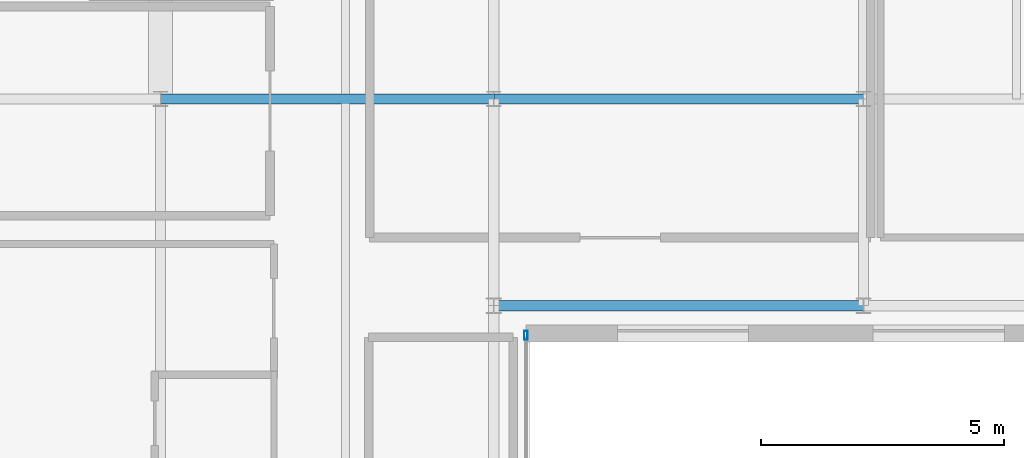
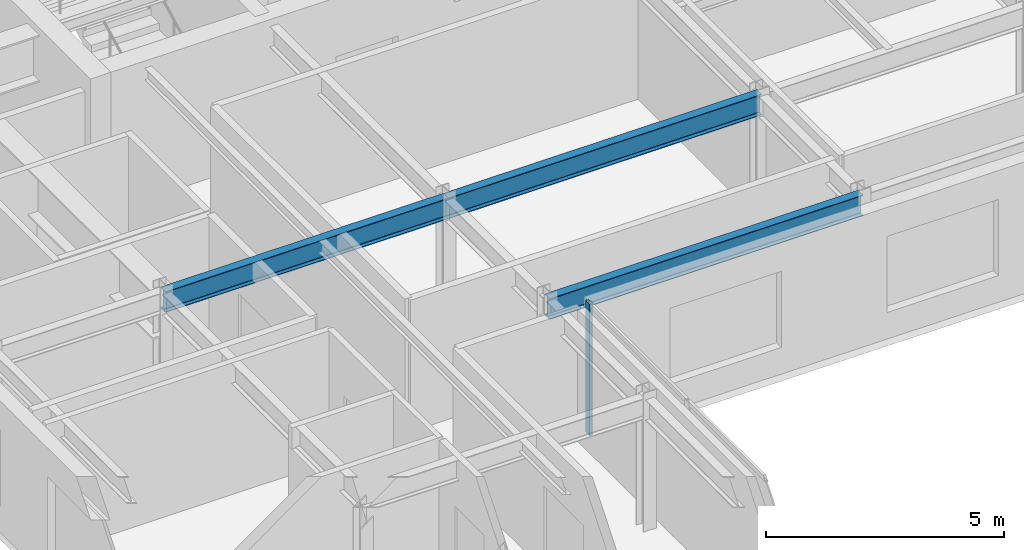
# One storey, part 9 of 18: 3 beams, 1 member, 1 element without a shape of its own.
"""IFC4 building model written with IfcOpenShell, lengths in metres."""

from ifc_helpers import new_model, si_unit, direction, frame, origin, origin_2d, place, context, subcontext, project, spatial, hollow_rectangle, i_section, extrude, source, transform, mapped, material, layer, layer_set, material_profile, profile_set, type_object, type_shapes, element, aggregate, save


model = new_model("IFC4")

# Units and contexts
model_context = context("Model", 3, precision=1e-05, world=origin(), true_north=direction((0.0, 1.0)))
body_context = subcontext(model_context, "Body", "Model", "MODEL_VIEW")
ifc_project = project(units=[si_unit("LENGTHUNIT", "METRE"), si_unit("AREAUNIT", "SQUARE_METRE"), si_unit("VOLUMEUNIT", "CUBIC_METRE"), si_unit("PLANEANGLEUNIT", "RADIAN"), si_unit("MASSUNIT", "GRAM", prefix="KILO")], contexts=[model_context])

# Site, building, storey
site_placement = place(None, origin())
site = spatial("IfcSite", under=ifc_project, at=site_placement, CompositionType="ELEMENT")
building_placement = place(site_placement, origin())
building = spatial("IfcBuilding", under=site, at=building_placement, Name="Tolvann Quenvar Hotel", CompositionType="ELEMENT")
storey_placement = place(building_placement, frame((0.0, 0.0, 245.199951171875)))
storey = spatial("IfcBuildingStorey", under=building, at=storey_placement, Name="L65", CompositionType="ELEMENT", Elevation=245.199951171875)

# Beams
ifc_material_1 = material(Name="Steel Grade 350", Category="steel")
ifc_material_profile_1 = material_profile(ifc_material_1, i_section(OverallWidth=0.208984375, OverallDepth=0.532958984375, WebThickness=0.01025390625, FlangeThickness=0.015625, FilletRadius=0.013916015625, at=origin_2d()), Name="530UB92")
ifc_profile_set_1 = profile_set([ifc_material_profile_1], Name="Steel Grade 350")
beam_type = type_object("IfcBeamType", Name="BM_GIRD_530UB92", PredefinedType="BEAM", material=ifc_profile_set_1)
shared_shape_1 = source(origin(), body_context, "Body", "SweptSolid", [
    extrude(i_section(OverallWidth=0.208984375, OverallDepth=0.532958984375, WebThickness=0.01025390625, FlangeThickness=0.015625, FilletRadius=0.013916015625, at=origin_2d()), origin(), (0.0, 0.0, 1.0), 6.849853515625),
])
beam_placement = place(storey_placement, frame((7.60009765625, 24.39990234375, 3.103515625), z_axis=(1.0, 0.0, 0.0), x_axis=(0.0, 1.0, 0.0)))
element("IfcBeam", 1, at=beam_placement, inside=storey, type_object=beam_type, Name="BM-L65-EW-5-C5-D5", PredefinedType="BEAM", context=body_context, shape_type="MappedRepresentation", body=[
    mapped(shared_shape_1, transform((0.0, 0.0, 0.0), x_axis=(1.0, 0.0, 0.0), y_axis=(0.0, 1.0, 0.0), z_axis=(0.0, 0.0, 1.0), scale=1.0)),
])
shared_shape_2 = source(origin(), body_context, "Body", "SweptSolid", [
    extrude(i_section(OverallWidth=0.208984375, OverallDepth=0.532958984375, WebThickness=0.01025390625, FlangeThickness=0.015625, FilletRadius=0.013916015625, at=origin_2d()), origin(), (0.0, 0.0, 1.0), 7.60009765625),
])
type_shapes(beam_type, [shared_shape_1, shared_shape_2])
for number, where, z_axis, x_axis, name in (
    (2, (14.449951171875, 20.14990234375, 3.103515625), (1.0, 0.0, 0.0), (0.0, 1.0, 0.0), "BM-L65-EW-4P-D4P-E4P"),
    (3, (14.449951171875, 24.39990234375, 3.103515625), (1.0, 0.0, 0.0), (0.0, 1.0, 0.0), "BM-L65-EW-5-D5-E5"),
):
    element("IfcBeam", number, at=place(storey_placement, frame(where, z_axis=z_axis, x_axis=x_axis)), inside=storey, type_object=beam_type, Name=name, PredefinedType="BEAM", context=body_context, shape_type="MappedRepresentation", body=[
        mapped(shared_shape_2, transform((0.0, 0.0, 0.0), x_axis=(1.0, 0.0, 0.0), y_axis=(0.0, 1.0, 0.0), z_axis=(0.0, 0.0, 1.0), scale=1.0)),
    ])

# Curtain wall, member
ifc_material_2 = material(Name="Thermally broken anodised architectural aluminium 6063-T6 and laminated low-E glass", Category="aluminium")
ifc_layer = layer(ifc_material_2, 0.179931640625)
ifc_layer_set = layer_set([ifc_layer], Name="Thermally broken anodised architectural aluminium 6063-T6 and laminated low-E glass")
curtain_wall_type = type_object("IfcCurtainWallType", Name="CW_SYS_PORTAL_05", PredefinedType="USERDEFINED", material=ifc_layer_set)
curtain_wall_placement = place(storey_placement, origin())
curtain_wall = element("IfcCurtainWall", 4, at=curtain_wall_placement, inside=storey, type_object=curtain_wall_type, Name="Curtain Wall CW-PORTAL-05 (CWR-L65-E05)", ObjectType="UNITISED CURTAIN WALL", PredefinedType="USERDEFINED")
ifc_material_3 = material(Name="Anodised architectural aluminium 6063-T6 framing", Category="aluminium")
ifc_material_profile_2 = material_profile(ifc_material_3, hollow_rectangle(XDim=0.070068359375, YDim=0.179931640625, WallThickness=0.00390625, at=origin_2d()), Name="180x70x4RHS")
ifc_profile_set_2 = profile_set([ifc_material_profile_2], Name="Anodised architectural aluminium 6063-T6 framing")
member_type = type_object("IfcMemberType", Name="CW_MULL_180x70", PredefinedType="MULLION", material=ifc_profile_set_2)
shared_shape_3 = source(origin(), body_context, "Body", "SweptSolid", [
    extrude(hollow_rectangle(XDim=0.070068359375, YDim=0.179931640625, WallThickness=0.00390625, at=origin_2d()), origin(), (0.0, 0.0, 1.0), 3.3701171875),
])
type_shapes(member_type, [shared_shape_3])
member_placement = place(storey_placement, frame((15.110107421875, 19.5400390625, 0.0), z_axis=(0.0, 0.0, 1.0), x_axis=(-1.0, 0.0, 0.0)))
member = element("IfcMember", 5, at=member_placement, type_object=member_type, Name="CW-PORTAL-05 mullion 5", PredefinedType="MULLION", context=body_context, shape_type="MappedRepresentation", body=[
    mapped(shared_shape_3, transform((0.0, 0.0, 0.0), x_axis=(1.0, 0.0, 0.0), y_axis=(0.0, 1.0, 0.0), z_axis=(0.0, 0.0, 1.0), scale=1.0)),
])
aggregate(curtain_wall, [member])

save(model, "model.ifc")
